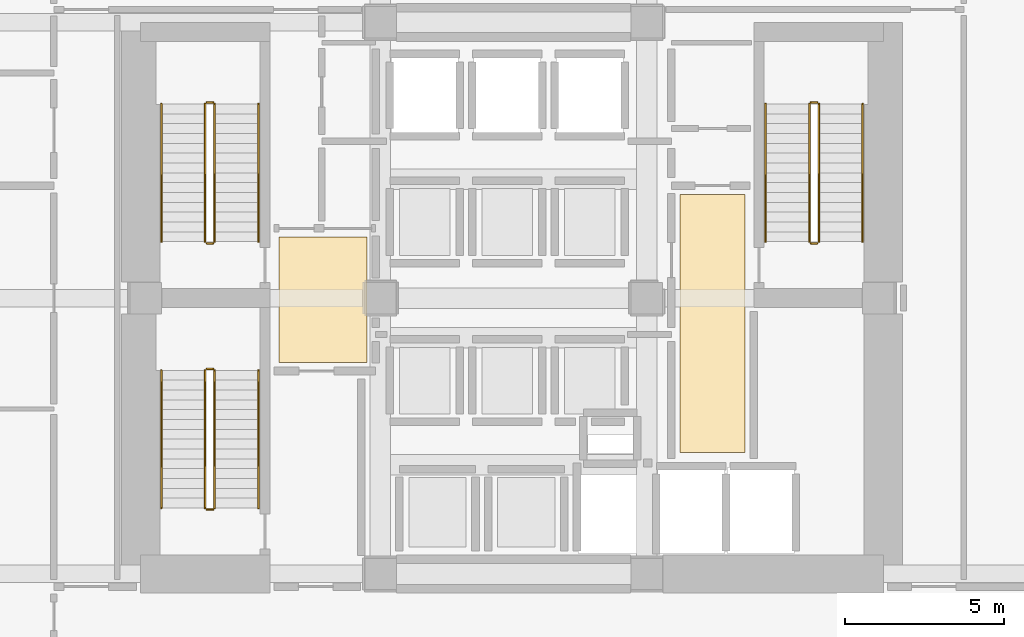
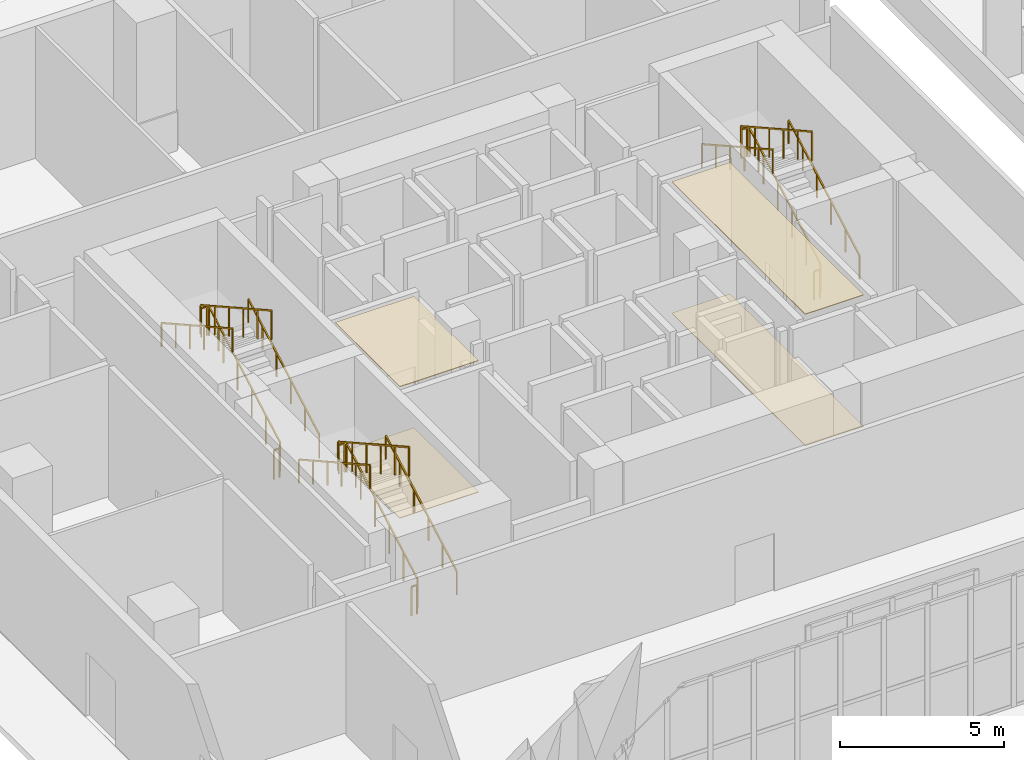
# One storey, part 27 of 30: 18 railings, 4 coverings.
"""IFC4 building model written with IfcOpenShell, lengths in metres."""

from ifc_helpers import new_model, si_unit, direction, frame, origin, origin_2d, place, context, subcontext, project, spatial, polyline, rectangle, outline, extrude, material, layer, layer_set, type_object, element, save


model = new_model("IFC4")

# Units and contexts
model_context = context("Model", 3, precision=1e-05, world=origin(), true_north=direction((0.0, 1.0)))
body_context = subcontext(model_context, "Body", "Model", "MODEL_VIEW")
ifc_project = project(units=[si_unit("LENGTHUNIT", "METRE"), si_unit("AREAUNIT", "SQUARE_METRE"), si_unit("VOLUMEUNIT", "CUBIC_METRE"), si_unit("PLANEANGLEUNIT", "RADIAN"), si_unit("MASSUNIT", "GRAM", prefix="KILO")], contexts=[model_context])

# Site, building, storey
site_placement = place(None, origin())
site = spatial("IfcSite", under=ifc_project, at=site_placement, CompositionType="ELEMENT")
building_placement = place(site_placement, origin())
building = spatial("IfcBuilding", under=site, at=building_placement, Name="Solanera Arch Residences", CompositionType="ELEMENT")
storey_placement = place(building_placement, origin())
storey = spatial("IfcBuildingStorey", under=building, at=storey_placement, Name="L00", CompositionType="ELEMENT", Elevation=0.0)

# Coverings
ifc_material_1 = material(Name="Porcelain Acoustic Floor Tile", Category="ceramic")
ifc_layer_1 = layer(ifc_material_1, 0.02001953125)
ifc_layer_set_1 = layer_set([ifc_layer_1], Name="Porcelain Acoustic Floor Tile")
covering_type_1 = type_object("IfcCoveringType", Name="Porcelain Acoustic Floor Finish FLR-20", PredefinedType="FLOORING", material=ifc_layer_set_1)
covering_1_placement = place(storey_placement, origin())
element("IfcCovering", 1, at=covering_1_placement, inside=storey, type_object=covering_type_1, Name="L00-FFL-W Porcelain Floor Finish", PredefinedType="FLOORING", context=body_context, shape_type="SweptSolid", body=[
    extrude(outline(polyline([(20.375, 28.675048828125), (17.594970703125, 28.675048828125), (17.594970703125, 32.625), (20.375, 32.625), (20.375, 28.675048828125)])), origin(), (0.0, 0.0, 1.0), 0.02001953125),
])
covering_2_placement = place(storey_placement, origin())
element("IfcCovering", 2, at=covering_2_placement, inside=storey, type_object=covering_type_1, Name="L00-FFL-E Porcelain Floor Finish", PredefinedType="FLOORING", context=body_context, shape_type="SweptSolid", body=[
    extrude(outline(polyline([(32.304931640625, 25.824951171875), (30.25, 25.824951171875), (30.25, 33.97509765625), (32.304931640625, 33.97509765625), (32.304931640625, 25.824951171875)])), origin(), (0.0, 0.0, 1.0), 0.02001953125),
])

# Railings
ifc_material_2 = material(Name="Steel S355 (ASTM A992 / A572 Grade 50)", Category="steel")
railing_type_1 = type_object("IfcRailingType", Name="Stair Guardrail GR-1100", PredefinedType="GUARDRAIL", material=ifc_material_2)
railing_1_placement = place(storey_placement, frame((15.570068359375, 32.47998046875, 0.158203125)))
element("IfcRailing", 3, at=railing_1_placement, inside=storey, type_object=railing_type_1, Name="L00 ST-T1 stair guard 1", PredefinedType="GUARDRAIL", context=body_context, shape_type="SweptSolid", body=[
    extrude(rectangle(XDim=0.048095703125, YDim=0.048095703125, at=origin_2d()), frame((0.0, 0.0, 1.076171875), z_axis=(0.0, 0.872822311302, 0.488038126475), x_axis=(-1.0, 0.0, 0.0)), (0.0, 0.0, 1.0), 4.972412109375),
    extrude(rectangle(XDim=0.0419921875, YDim=0.0419921875, at=origin_2d()), origin(), (0.0, 0.0, 1.0), 1.052001953125),
    extrude(rectangle(XDim=0.0419921875, YDim=0.0419921875, at=origin_2d()), frame((0.0, 0.867919921875, 0.4853515625)), (0.0, 0.0, 1.0), 1.052001953125),
    extrude(rectangle(XDim=0.0419921875, YDim=0.0419921875, at=origin_2d()), frame((0.0, 1.736083984375, 0.970703125)), (0.0, 0.0, 1.0), 1.052001953125),
    extrude(rectangle(XDim=0.0419921875, YDim=0.0419921875, at=origin_2d()), frame((0.0, 2.60400390625, 1.4560546875)), (0.0, 0.0, 1.0), 1.052001953125),
    extrude(rectangle(XDim=0.0419921875, YDim=0.0419921875, at=origin_2d()), frame((0.0, 3.47216796875, 1.94140625)), (0.0, 0.0, 1.0), 1.052001953125),
    extrude(rectangle(XDim=0.0419921875, YDim=0.0419921875, at=origin_2d()), frame((0.0, 4.340087890625, 2.4267578125)), (0.0, 0.0, 1.0), 1.052001953125),
])
railing_2_placement = place(storey_placement, frame((15.52001953125, 36.8701171875, 2.5849609375)))
element("IfcRailing", 4, at=railing_2_placement, inside=storey, type_object=railing_type_1, Name="L00 ST-T1 stair guard 2", PredefinedType="GUARDRAIL", context=body_context, shape_type="SweptSolid", body=[
    extrude(rectangle(XDim=0.048095703125, YDim=0.048095703125, at=origin_2d()), frame((0.0, 0.0, 1.076171875), z_axis=(-1.0, 0.0, 0.0), x_axis=(0.0, -1.0, 0.0)), (0.0, 0.0, 1.0), 0.199951171875),
    extrude(rectangle(XDim=0.0419921875, YDim=0.0419921875, at=origin_2d()), origin(), (0.0, 0.0, 1.0), 1.052001953125),
    extrude(rectangle(XDim=0.0419921875, YDim=0.0419921875, at=origin_2d()), frame((-0.199951171875, 0.0, 0.0)), (0.0, 0.0, 1.0), 1.052001953125),
])
railing_3_placement = place(storey_placement, frame((15.27001953125, 36.820068359375, 2.75830078125)))
element("IfcRailing", 5, at=railing_3_placement, inside=storey, type_object=railing_type_1, Name="L00 ST-T1 stair guard 3", PredefinedType="GUARDRAIL", context=body_context, shape_type="SweptSolid", body=[
    extrude(rectangle(XDim=0.048095703125, YDim=0.048095703125, at=origin_2d()), frame((0.0, 0.0, 1.076171875), z_axis=(0.0, -0.872822311302, 0.488038126475), x_axis=(1.0, 0.0, 0.0)), (0.0, 0.0, 1.0), 4.972412109375),
    extrude(rectangle(XDim=0.0419921875, YDim=0.0419921875, at=origin_2d()), origin(), (0.0, 0.0, 1.0), 1.052001953125),
    extrude(rectangle(XDim=0.0419921875, YDim=0.0419921875, at=origin_2d()), frame((0.0, -0.867919921875, 0.4853515625)), (0.0, 0.0, 1.0), 1.052001953125),
    extrude(rectangle(XDim=0.0419921875, YDim=0.0419921875, at=origin_2d()), frame((0.0, -1.736083984375, 0.970703125)), (0.0, 0.0, 1.0), 1.052001953125),
    extrude(rectangle(XDim=0.0419921875, YDim=0.0419921875, at=origin_2d()), frame((0.0, -2.60400390625, 1.4560546875)), (0.0, 0.0, 1.0), 1.052001953125),
    extrude(rectangle(XDim=0.0419921875, YDim=0.0419921875, at=origin_2d()), frame((0.0, -3.47216796875, 1.94140625)), (0.0, 0.0, 1.0), 1.052001953125),
    extrude(rectangle(XDim=0.0419921875, YDim=0.0419921875, at=origin_2d()), frame((0.0, -4.340087890625, 2.4267578125)), (0.0, 0.0, 1.0), 1.052001953125),
])
railing_4_placement = place(storey_placement, frame((15.52001953125, 32.429931640625, -0.014892578125)))
element("IfcRailing", 6, at=railing_4_placement, inside=storey, type_object=railing_type_1, Name="L00 ST-T1 stair guard 4", PredefinedType="GUARDRAIL", context=body_context, shape_type="SweptSolid", body=[
    extrude(rectangle(XDim=0.048095703125, YDim=0.048095703125, at=origin_2d()), frame((0.0, 0.0, 1.076171875), z_axis=(-1.0, 0.0, 0.0), x_axis=(0.0, -1.0, 0.0)), (0.0, 0.0, 1.0), 0.199951171875),
    extrude(rectangle(XDim=0.0419921875, YDim=0.0419921875, at=origin_2d()), origin(), (0.0, 0.0, 1.0), 1.052001953125),
    extrude(rectangle(XDim=0.0419921875, YDim=0.0419921875, at=origin_2d()), frame((-0.199951171875, 0.0, 0.0)), (0.0, 0.0, 1.0), 1.052001953125),
])
railing_5_placement = place(storey_placement, frame((34.6298828125, 32.47998046875, 0.158203125)))
element("IfcRailing", 7, at=railing_5_placement, inside=storey, type_object=railing_type_1, Name="L00 ST-T2 stair guard 1", PredefinedType="GUARDRAIL", context=body_context, shape_type="SweptSolid", body=[
    extrude(rectangle(XDim=0.048095703125, YDim=0.048095703125, at=origin_2d()), frame((0.0, 0.0, 1.076171875), z_axis=(0.0, 0.872822311302, 0.488038126475), x_axis=(-1.0, 0.0, 0.0)), (0.0, 0.0, 1.0), 4.972412109375),
    extrude(rectangle(XDim=0.0419921875, YDim=0.0419921875, at=origin_2d()), origin(), (0.0, 0.0, 1.0), 1.052001953125),
    extrude(rectangle(XDim=0.0419921875, YDim=0.0419921875, at=origin_2d()), frame((0.0, 0.867919921875, 0.4853515625)), (0.0, 0.0, 1.0), 1.052001953125),
    extrude(rectangle(XDim=0.0419921875, YDim=0.0419921875, at=origin_2d()), frame((0.0, 1.736083984375, 0.970703125)), (0.0, 0.0, 1.0), 1.052001953125),
    extrude(rectangle(XDim=0.0419921875, YDim=0.0419921875, at=origin_2d()), frame((0.0, 2.60400390625, 1.4560546875)), (0.0, 0.0, 1.0), 1.052001953125),
    extrude(rectangle(XDim=0.0419921875, YDim=0.0419921875, at=origin_2d()), frame((0.0, 3.47216796875, 1.94140625)), (0.0, 0.0, 1.0), 1.052001953125),
    extrude(rectangle(XDim=0.0419921875, YDim=0.0419921875, at=origin_2d()), frame((0.0, 4.340087890625, 2.4267578125)), (0.0, 0.0, 1.0), 1.052001953125),
])
railing_6_placement = place(storey_placement, frame((34.580078125, 36.8701171875, 2.5849609375)))
element("IfcRailing", 8, at=railing_6_placement, inside=storey, type_object=railing_type_1, Name="L00 ST-T2 stair guard 2", PredefinedType="GUARDRAIL", context=body_context, shape_type="SweptSolid", body=[
    extrude(rectangle(XDim=0.048095703125, YDim=0.048095703125, at=origin_2d()), frame((0.0, 0.0, 1.076171875), z_axis=(-1.0, 0.0, 0.0), x_axis=(0.0, -1.0, 0.0)), (0.0, 0.0, 1.0), 0.2001953125),
    extrude(rectangle(XDim=0.0419921875, YDim=0.0419921875, at=origin_2d()), origin(), (0.0, 0.0, 1.0), 1.052001953125),
    extrude(rectangle(XDim=0.0419921875, YDim=0.0419921875, at=origin_2d()), frame((-0.2001953125, 0.0, 0.0)), (0.0, 0.0, 1.0), 1.052001953125),
])
railing_7_placement = place(storey_placement, frame((34.330078125, 36.820068359375, 2.75830078125)))
element("IfcRailing", 9, at=railing_7_placement, inside=storey, type_object=railing_type_1, Name="L00 ST-T2 stair guard 3", PredefinedType="GUARDRAIL", context=body_context, shape_type="SweptSolid", body=[
    extrude(rectangle(XDim=0.048095703125, YDim=0.048095703125, at=origin_2d()), frame((0.0, 0.0, 1.076171875), z_axis=(0.0, -0.872822311302, 0.488038126475), x_axis=(1.0, 0.0, 0.0)), (0.0, 0.0, 1.0), 4.972412109375),
    extrude(rectangle(XDim=0.0419921875, YDim=0.0419921875, at=origin_2d()), origin(), (0.0, 0.0, 1.0), 1.052001953125),
    extrude(rectangle(XDim=0.0419921875, YDim=0.0419921875, at=origin_2d()), frame((0.0, -0.867919921875, 0.4853515625)), (0.0, 0.0, 1.0), 1.052001953125),
    extrude(rectangle(XDim=0.0419921875, YDim=0.0419921875, at=origin_2d()), frame((0.0, -1.736083984375, 0.970703125)), (0.0, 0.0, 1.0), 1.052001953125),
    extrude(rectangle(XDim=0.0419921875, YDim=0.0419921875, at=origin_2d()), frame((0.0, -2.60400390625, 1.4560546875)), (0.0, 0.0, 1.0), 1.052001953125),
    extrude(rectangle(XDim=0.0419921875, YDim=0.0419921875, at=origin_2d()), frame((0.0, -3.47216796875, 1.94140625)), (0.0, 0.0, 1.0), 1.052001953125),
    extrude(rectangle(XDim=0.0419921875, YDim=0.0419921875, at=origin_2d()), frame((0.0, -4.340087890625, 2.4267578125)), (0.0, 0.0, 1.0), 1.052001953125),
])
railing_8_placement = place(storey_placement, frame((34.580078125, 32.429931640625, -0.014892578125)))
element("IfcRailing", 10, at=railing_8_placement, inside=storey, type_object=railing_type_1, Name="L00 ST-T2 stair guard 4", PredefinedType="GUARDRAIL", context=body_context, shape_type="SweptSolid", body=[
    extrude(rectangle(XDim=0.048095703125, YDim=0.048095703125, at=origin_2d()), frame((0.0, 0.0, 1.076171875), z_axis=(-1.0, 0.0, 0.0), x_axis=(0.0, -1.0, 0.0)), (0.0, 0.0, 1.0), 0.2001953125),
    extrude(rectangle(XDim=0.0419921875, YDim=0.0419921875, at=origin_2d()), origin(), (0.0, 0.0, 1.0), 1.052001953125),
    extrude(rectangle(XDim=0.0419921875, YDim=0.0419921875, at=origin_2d()), frame((-0.2001953125, 0.0, 0.0)), (0.0, 0.0, 1.0), 1.052001953125),
])
railing_9_placement = place(storey_placement, frame((15.570068359375, 24.080078125, 0.158203125)))
element("IfcRailing", 11, at=railing_9_placement, inside=storey, type_object=railing_type_1, Name="L00 ST-T3 stair guard 1", PredefinedType="GUARDRAIL", context=body_context, shape_type="SweptSolid", body=[
    extrude(rectangle(XDim=0.048095703125, YDim=0.048095703125, at=origin_2d()), frame((0.0, 0.0, 1.076171875), z_axis=(0.0, 0.872810616233, 0.488059041706), x_axis=(-1.0, 0.0, 0.0)), (0.0, 0.0, 1.0), 4.97216796875),
    extrude(rectangle(XDim=0.0419921875, YDim=0.0419921875, at=origin_2d()), origin(), (0.0, 0.0, 1.0), 1.052001953125),
    extrude(rectangle(XDim=0.0419921875, YDim=0.0419921875, at=origin_2d()), frame((0.0, 0.867919921875, 0.4853515625)), (0.0, 0.0, 1.0), 1.052001953125),
    extrude(rectangle(XDim=0.0419921875, YDim=0.0419921875, at=origin_2d()), frame((0.0, 1.73583984375, 0.970703125)), (0.0, 0.0, 1.0), 1.052001953125),
    extrude(rectangle(XDim=0.0419921875, YDim=0.0419921875, at=origin_2d()), frame((0.0, 2.60400390625, 1.4560546875)), (0.0, 0.0, 1.0), 1.052001953125),
    extrude(rectangle(XDim=0.0419921875, YDim=0.0419921875, at=origin_2d()), frame((0.0, 3.471923828125, 1.94140625)), (0.0, 0.0, 1.0), 1.052001953125),
    extrude(rectangle(XDim=0.0419921875, YDim=0.0419921875, at=origin_2d()), frame((0.0, 4.33984375, 2.4267578125)), (0.0, 0.0, 1.0), 1.052001953125),
])
railing_10_placement = place(storey_placement, frame((15.52001953125, 28.469970703125, 2.5849609375)))
element("IfcRailing", 12, at=railing_10_placement, inside=storey, type_object=railing_type_1, Name="L00 ST-T3 stair guard 2", PredefinedType="GUARDRAIL", context=body_context, shape_type="SweptSolid", body=[
    extrude(rectangle(XDim=0.048095703125, YDim=0.048095703125, at=origin_2d()), frame((0.0, 0.0, 1.076171875), z_axis=(-1.0, 0.0, 0.0), x_axis=(0.0, -1.0, 0.0)), (0.0, 0.0, 1.0), 0.199951171875),
    extrude(rectangle(XDim=0.0419921875, YDim=0.0419921875, at=origin_2d()), origin(), (0.0, 0.0, 1.0), 1.052001953125),
    extrude(rectangle(XDim=0.0419921875, YDim=0.0419921875, at=origin_2d()), frame((-0.199951171875, 0.0, 0.0)), (0.0, 0.0, 1.0), 1.052001953125),
])
railing_11_placement = place(storey_placement, frame((15.27001953125, 28.419921875, 2.75830078125)))
element("IfcRailing", 13, at=railing_11_placement, inside=storey, type_object=railing_type_1, Name="L00 ST-T3 stair guard 3", PredefinedType="GUARDRAIL", context=body_context, shape_type="SweptSolid", body=[
    extrude(rectangle(XDim=0.048095703125, YDim=0.048095703125, at=origin_2d()), frame((0.0, 0.0, 1.076171875), z_axis=(0.0, -0.872810616233, 0.488059041706), x_axis=(1.0, 0.0, 0.0)), (0.0, 0.0, 1.0), 4.97216796875),
    extrude(rectangle(XDim=0.0419921875, YDim=0.0419921875, at=origin_2d()), origin(), (0.0, 0.0, 1.0), 1.052001953125),
    extrude(rectangle(XDim=0.0419921875, YDim=0.0419921875, at=origin_2d()), frame((0.0, -0.867919921875, 0.4853515625)), (0.0, 0.0, 1.0), 1.052001953125),
    extrude(rectangle(XDim=0.0419921875, YDim=0.0419921875, at=origin_2d()), frame((0.0, -1.73583984375, 0.970703125)), (0.0, 0.0, 1.0), 1.052001953125),
    extrude(rectangle(XDim=0.0419921875, YDim=0.0419921875, at=origin_2d()), frame((0.0, -2.60400390625, 1.4560546875)), (0.0, 0.0, 1.0), 1.052001953125),
    extrude(rectangle(XDim=0.0419921875, YDim=0.0419921875, at=origin_2d()), frame((0.0, -3.471923828125, 1.94140625)), (0.0, 0.0, 1.0), 1.052001953125),
    extrude(rectangle(XDim=0.0419921875, YDim=0.0419921875, at=origin_2d()), frame((0.0, -4.33984375, 2.4267578125)), (0.0, 0.0, 1.0), 1.052001953125),
])
railing_12_placement = place(storey_placement, frame((15.52001953125, 24.030029296875, -0.014892578125)))
element("IfcRailing", 14, at=railing_12_placement, inside=storey, type_object=railing_type_1, Name="L00 ST-T3 stair guard 4", PredefinedType="GUARDRAIL", context=body_context, shape_type="SweptSolid", body=[
    extrude(rectangle(XDim=0.048095703125, YDim=0.048095703125, at=origin_2d()), frame((0.0, 0.0, 1.076171875), z_axis=(-1.0, 0.0, 0.0), x_axis=(0.0, -1.0, 0.0)), (0.0, 0.0, 1.0), 0.199951171875),
    extrude(rectangle(XDim=0.0419921875, YDim=0.0419921875, at=origin_2d()), origin(), (0.0, 0.0, 1.0), 1.052001953125),
    extrude(rectangle(XDim=0.0419921875, YDim=0.0419921875, at=origin_2d()), frame((-0.199951171875, 0.0, 0.0)), (0.0, 0.0, 1.0), 1.052001953125),
])
ifc_material_3 = material(Name="Steel S355 (ASTM A992 / A572 Grade 50)", Category="steel")
railing_type_2 = type_object("IfcRailingType", Name="Stair Wall Handrail HR-920", PredefinedType="HANDRAIL", material=ifc_material_3)
railing_13_placement = place(storey_placement, frame((16.949951171875, 32.47998046875, 0.17333984375)))
element("IfcRailing", 15, at=railing_13_placement, inside=storey, type_object=railing_type_2, Name="L00 ST-T1 stair handrail 1", PredefinedType="HANDRAIL", context=body_context, shape_type="SweptSolid", body=[
    extrude(rectangle(XDim=0.048095703125, YDim=0.048095703125, at=origin_2d()), frame((0.0, 0.0, 0.8759765625), z_axis=(0.0, 0.872822311302, 0.488038126475), x_axis=(-1.0, 0.0, 0.0)), (0.0, 0.0, 1.0), 4.972412109375),
    extrude(rectangle(XDim=0.0419921875, YDim=0.0419921875, at=origin_2d()), origin(), (0.0, 0.0, 1.0), 0.851806640625),
    extrude(rectangle(XDim=0.0419921875, YDim=0.0419921875, at=origin_2d()), frame((0.0, 0.867919921875, 0.4853515625)), (0.0, 0.0, 1.0), 0.851806640625),
    extrude(rectangle(XDim=0.0419921875, YDim=0.0419921875, at=origin_2d()), frame((0.0, 1.736083984375, 0.970703125)), (0.0, 0.0, 1.0), 0.851806640625),
    extrude(rectangle(XDim=0.0419921875, YDim=0.0419921875, at=origin_2d()), frame((0.0, 2.60400390625, 1.4560546875)), (0.0, 0.0, 1.0), 0.851806640625),
    extrude(rectangle(XDim=0.0419921875, YDim=0.0419921875, at=origin_2d()), frame((0.0, 3.47216796875, 1.94140625)), (0.0, 0.0, 1.0), 0.851806640625),
    extrude(rectangle(XDim=0.0419921875, YDim=0.0419921875, at=origin_2d()), frame((0.0, 4.340087890625, 2.4267578125)), (0.0, 0.0, 1.0), 0.851806640625),
])
railing_14_placement = place(storey_placement, frame((13.889892578125, 36.820068359375, 2.7734375)))
element("IfcRailing", 16, at=railing_14_placement, inside=storey, type_object=railing_type_2, Name="L00 ST-T1 stair handrail 2", PredefinedType="HANDRAIL", context=body_context, shape_type="SweptSolid", body=[
    extrude(rectangle(XDim=0.048095703125, YDim=0.048095703125, at=origin_2d()), frame((0.0, 0.0, 0.8759765625), z_axis=(0.0, -0.872843225476, 0.488000721045), x_axis=(1.0, 0.0, 0.0)), (0.0, 0.0, 1.0), 4.972412109375),
    extrude(rectangle(XDim=0.0419921875, YDim=0.0419921875, at=origin_2d()), origin(), (0.0, 0.0, 1.0), 0.851806640625),
    extrude(rectangle(XDim=0.0419921875, YDim=0.0419921875, at=origin_2d()), frame((0.0, -0.867919921875, 0.4853515625)), (0.0, 0.0, 1.0), 0.851806640625),
    extrude(rectangle(XDim=0.0419921875, YDim=0.0419921875, at=origin_2d()), frame((0.0, -1.736083984375, 0.970703125)), (0.0, 0.0, 1.0), 0.851806640625),
    extrude(rectangle(XDim=0.0419921875, YDim=0.0419921875, at=origin_2d()), frame((0.0, -2.60400390625, 1.455810546875)), (0.0, 0.0, 1.0), 0.851806640625),
    extrude(rectangle(XDim=0.0419921875, YDim=0.0419921875, at=origin_2d()), frame((0.0, -3.47216796875, 1.941162109375)), (0.0, 0.0, 1.0), 0.851806640625),
    extrude(rectangle(XDim=0.0419921875, YDim=0.0419921875, at=origin_2d()), frame((0.0, -4.340087890625, 2.426513671875)), (0.0, 0.0, 1.0), 0.851806640625),
])
railing_15_placement = place(storey_placement, frame((36.010009765625, 32.47998046875, 0.17333984375)))
element("IfcRailing", 17, at=railing_15_placement, inside=storey, type_object=railing_type_2, Name="L00 ST-T2 stair handrail 1", PredefinedType="HANDRAIL", context=body_context, shape_type="SweptSolid", body=[
    extrude(rectangle(XDim=0.048095703125, YDim=0.048095703125, at=origin_2d()), frame((0.0, 0.0, 0.8759765625), z_axis=(0.0, 0.872822311302, 0.488038126475), x_axis=(-1.0, 0.0, 0.0)), (0.0, 0.0, 1.0), 4.972412109375),
    extrude(rectangle(XDim=0.0419921875, YDim=0.0419921875, at=origin_2d()), origin(), (0.0, 0.0, 1.0), 0.851806640625),
    extrude(rectangle(XDim=0.0419921875, YDim=0.0419921875, at=origin_2d()), frame((0.0, 0.867919921875, 0.4853515625)), (0.0, 0.0, 1.0), 0.851806640625),
    extrude(rectangle(XDim=0.0419921875, YDim=0.0419921875, at=origin_2d()), frame((0.0, 1.736083984375, 0.970703125)), (0.0, 0.0, 1.0), 0.851806640625),
    extrude(rectangle(XDim=0.0419921875, YDim=0.0419921875, at=origin_2d()), frame((0.0, 2.60400390625, 1.4560546875)), (0.0, 0.0, 1.0), 0.851806640625),
    extrude(rectangle(XDim=0.0419921875, YDim=0.0419921875, at=origin_2d()), frame((0.0, 3.47216796875, 1.94140625)), (0.0, 0.0, 1.0), 0.851806640625),
    extrude(rectangle(XDim=0.0419921875, YDim=0.0419921875, at=origin_2d()), frame((0.0, 4.340087890625, 2.4267578125)), (0.0, 0.0, 1.0), 0.851806640625),
])
railing_16_placement = place(storey_placement, frame((32.949951171875, 36.820068359375, 2.7734375)))
element("IfcRailing", 18, at=railing_16_placement, inside=storey, type_object=railing_type_2, Name="L00 ST-T2 stair handrail 2", PredefinedType="HANDRAIL", context=body_context, shape_type="SweptSolid", body=[
    extrude(rectangle(XDim=0.048095703125, YDim=0.048095703125, at=origin_2d()), frame((0.0, 0.0, 0.8759765625), z_axis=(0.0, -0.872843225476, 0.488000721045), x_axis=(1.0, 0.0, 0.0)), (0.0, 0.0, 1.0), 4.972412109375),
    extrude(rectangle(XDim=0.0419921875, YDim=0.0419921875, at=origin_2d()), origin(), (0.0, 0.0, 1.0), 0.851806640625),
    extrude(rectangle(XDim=0.0419921875, YDim=0.0419921875, at=origin_2d()), frame((0.0, -0.867919921875, 0.4853515625)), (0.0, 0.0, 1.0), 0.851806640625),
    extrude(rectangle(XDim=0.0419921875, YDim=0.0419921875, at=origin_2d()), frame((0.0, -1.736083984375, 0.970703125)), (0.0, 0.0, 1.0), 0.851806640625),
    extrude(rectangle(XDim=0.0419921875, YDim=0.0419921875, at=origin_2d()), frame((0.0, -2.60400390625, 1.455810546875)), (0.0, 0.0, 1.0), 0.851806640625),
    extrude(rectangle(XDim=0.0419921875, YDim=0.0419921875, at=origin_2d()), frame((0.0, -3.47216796875, 1.941162109375)), (0.0, 0.0, 1.0), 0.851806640625),
    extrude(rectangle(XDim=0.0419921875, YDim=0.0419921875, at=origin_2d()), frame((0.0, -4.340087890625, 2.426513671875)), (0.0, 0.0, 1.0), 0.851806640625),
])
railing_17_placement = place(storey_placement, frame((16.949951171875, 24.080078125, 0.17333984375)))
element("IfcRailing", 19, at=railing_17_placement, inside=storey, type_object=railing_type_2, Name="L00 ST-T3 stair handrail 1", PredefinedType="HANDRAIL", context=body_context, shape_type="SweptSolid", body=[
    extrude(rectangle(XDim=0.048095703125, YDim=0.048095703125, at=origin_2d()), frame((0.0, 0.0, 0.8759765625), z_axis=(0.0, 0.872810616233, 0.488059041706), x_axis=(-1.0, 0.0, 0.0)), (0.0, 0.0, 1.0), 4.97216796875),
    extrude(rectangle(XDim=0.0419921875, YDim=0.0419921875, at=origin_2d()), origin(), (0.0, 0.0, 1.0), 0.851806640625),
    extrude(rectangle(XDim=0.0419921875, YDim=0.0419921875, at=origin_2d()), frame((0.0, 0.867919921875, 0.4853515625)), (0.0, 0.0, 1.0), 0.851806640625),
    extrude(rectangle(XDim=0.0419921875, YDim=0.0419921875, at=origin_2d()), frame((0.0, 1.73583984375, 0.970703125)), (0.0, 0.0, 1.0), 0.851806640625),
    extrude(rectangle(XDim=0.0419921875, YDim=0.0419921875, at=origin_2d()), frame((0.0, 2.60400390625, 1.4560546875)), (0.0, 0.0, 1.0), 0.851806640625),
    extrude(rectangle(XDim=0.0419921875, YDim=0.0419921875, at=origin_2d()), frame((0.0, 3.471923828125, 1.94140625)), (0.0, 0.0, 1.0), 0.851806640625),
    extrude(rectangle(XDim=0.0419921875, YDim=0.0419921875, at=origin_2d()), frame((0.0, 4.33984375, 2.4267578125)), (0.0, 0.0, 1.0), 0.851806640625),
])
railing_18_placement = place(storey_placement, frame((13.889892578125, 28.419921875, 2.7734375)))
element("IfcRailing", 20, at=railing_18_placement, inside=storey, type_object=railing_type_2, Name="L00 ST-T3 stair handrail 2", PredefinedType="HANDRAIL", context=body_context, shape_type="SweptSolid", body=[
    extrude(rectangle(XDim=0.048095703125, YDim=0.048095703125, at=origin_2d()), frame((0.0, 0.0, 0.8759765625), z_axis=(0.0, -0.87283153192, 0.488021635675), x_axis=(1.0, 0.0, 0.0)), (0.0, 0.0, 1.0), 4.97216796875),
    extrude(rectangle(XDim=0.0419921875, YDim=0.0419921875, at=origin_2d()), origin(), (0.0, 0.0, 1.0), 0.851806640625),
    extrude(rectangle(XDim=0.0419921875, YDim=0.0419921875, at=origin_2d()), frame((0.0, -0.867919921875, 0.4853515625)), (0.0, 0.0, 1.0), 0.851806640625),
    extrude(rectangle(XDim=0.0419921875, YDim=0.0419921875, at=origin_2d()), frame((0.0, -1.73583984375, 0.970703125)), (0.0, 0.0, 1.0), 0.851806640625),
    extrude(rectangle(XDim=0.0419921875, YDim=0.0419921875, at=origin_2d()), frame((0.0, -2.60400390625, 1.455810546875)), (0.0, 0.0, 1.0), 0.851806640625),
    extrude(rectangle(XDim=0.0419921875, YDim=0.0419921875, at=origin_2d()), frame((0.0, -3.471923828125, 1.941162109375)), (0.0, 0.0, 1.0), 0.851806640625),
    extrude(rectangle(XDim=0.0419921875, YDim=0.0419921875, at=origin_2d()), frame((0.0, -4.33984375, 2.426513671875)), (0.0, 0.0, 1.0), 0.851806640625),
])

# Coverings
ifc_material_4 = material(Name="Mineral Fibre Acoustic Ceiling Board", Category="gypsum")
ifc_layer_2 = layer(ifc_material_4, 0.02490234375)
ifc_layer_set_2 = layer_set([ifc_layer_2], Name="Mineral Fibre Acoustic Ceiling Board")
covering_type_2 = type_object("IfcCoveringType", Name="Suspended Acoustic Ceiling Board CLG-25", PredefinedType="CEILING", material=ifc_layer_set_2)
covering_3_placement = place(storey_placement, frame((0.0, 0.0, 4.89501953125)))
element("IfcCovering", 21, at=covering_3_placement, inside=storey, type_object=covering_type_2, Name="L00-FFL-W Acoustic Ceiling", PredefinedType="CEILING", context=body_context, shape_type="SweptSolid", body=[
    extrude(outline(polyline([(20.375, 28.675048828125), (17.594970703125, 28.675048828125), (17.594970703125, 32.625), (20.375, 32.625), (20.375, 28.675048828125)])), origin(), (0.0, 0.0, 1.0), 0.02490234375),
])
covering_4_placement = place(storey_placement, frame((0.0, 0.0, 4.89501953125)))
element("IfcCovering", 22, at=covering_4_placement, inside=storey, type_object=covering_type_2, Name="L00-FFL-E Acoustic Ceiling", PredefinedType="CEILING", context=body_context, shape_type="SweptSolid", body=[
    extrude(outline(polyline([(32.304931640625, 25.824951171875), (30.25, 25.824951171875), (30.25, 33.97509765625), (32.304931640625, 33.97509765625), (32.304931640625, 25.824951171875)])), origin(), (0.0, 0.0, 1.0), 0.02490234375),
])

save(model, "model.ifc")
